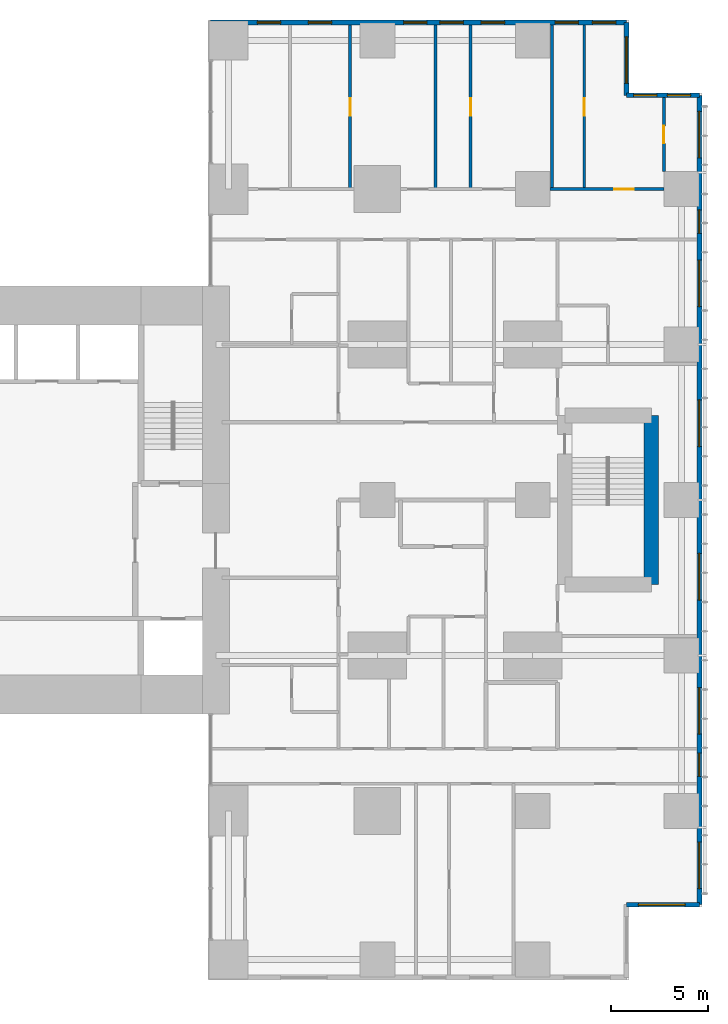
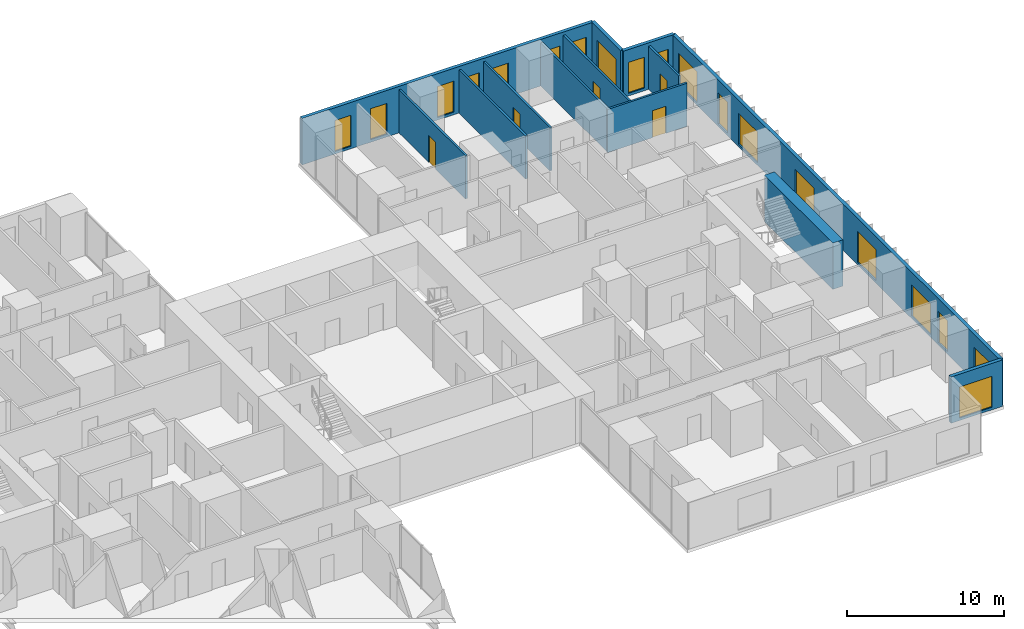
# One storey, part 18 of 20: 19 windows, 13 walls, 5 doors, 24 openings.
"""IFC4 building model written with IfcOpenShell, lengths in metres."""

from ifc_helpers import new_model, si_unit, direction, frame, frame_2d, origin, place, context, subcontext, project, spatial, rectangle, extrude, material, layer, layer_set, type_object, element, fill, save


model = new_model("IFC4")

# Units and contexts
model_context = context("Model", 3, precision=1e-05, world=origin(), true_north=direction((0.0, 1.0)))
body_context = subcontext(model_context, "Body", "Model", "MODEL_VIEW")
ifc_project = project(units=[si_unit("LENGTHUNIT", "METRE"), si_unit("AREAUNIT", "SQUARE_METRE"), si_unit("VOLUMEUNIT", "CUBIC_METRE"), si_unit("PLANEANGLEUNIT", "RADIAN"), si_unit("MASSUNIT", "GRAM", prefix="KILO")], contexts=[model_context])

# Site, building, storey
site_placement = place(None, origin())
site = spatial("IfcSite", under=ifc_project, at=site_placement, CompositionType="ELEMENT")
building_placement = place(site_placement, origin())
building = spatial("IfcBuilding", under=site, at=building_placement, Name="Cleftline Residences", CompositionType="ELEMENT")
storey_placement = place(building_placement, frame((0.0, 0.0, 189.39990234375)))
storey = spatial("IfcBuildingStorey", under=building, at=storey_placement, Name="L49", CompositionType="ELEMENT", Elevation=189.39990234375)

# Wall, opening, window
ifc_material_1 = material(Name="Rendered reinforced concrete blockwork", Category="masonry")
ifc_layer_1 = layer(ifc_material_1, 0.25)
ifc_layer_set_1 = layer_set([ifc_layer_1], Name="EXTERNAL WALL 250")
wall_type_1 = type_object("IfcWallType", Name="EXTERNAL WALL 250", PredefinedType="SOLIDWALL", material=ifc_layer_set_1)
wall_1_placement = place(storey_placement, frame((62.824951171875, 3.175048828125, 0.0), z_axis=(0.0, 0.0, 1.0), x_axis=(1.0, 0.0, 0.0)))
wall_1 = element("IfcWall", 1, at=wall_1_placement, inside=storey, type_object=wall_type_1, Name="External wall", PredefinedType="SOLIDWALL", context=body_context, shape_type="SweptSolid", body=[
    extrude(rectangle(XDim=3.75, YDim=0.25, at=frame_2d((1.875, 0.0))), origin(), (0.0, 0.0, 1.0), 3.60009765625),
])
opening_1_placement = place(wall_1_placement, frame((0.612548828125, 0.0, 0.199951171875)))
opening_1 = element("IfcOpeningElement", 2, at=opening_1_placement, cuts=wall_1, Name="Opening W9", PredefinedType="OPENING", context=body_context, shape_type="SweptSolid", body=[
    extrude(rectangle(XDim=2.39990234375, YDim=2.39990234375, at=frame_2d((1.199951171875, 1.199951171875))), frame((0.0, 0.135009765625, 0.0), z_axis=(0.0, -1.0, 0.0), x_axis=(1.0, 0.0, 0.0)), (0.0, 0.0, 1.0), 0.27001953125),
])
ifc_material_2 = material(Name="Aluminium frame, clear double glazing", Category="aluminium")
window_type_1 = type_object("IfcWindowType", Name="WINDOW 2400X2400", PartitioningType="DOUBLE_PANEL_VERTICAL", PredefinedType="WINDOW", material=ifc_material_2)
window_1_placement = place(opening_1_placement, origin())
window_1 = element("IfcWindow", 3, at=window_1_placement, inside=storey, type_object=window_type_1, Name="Window", OverallHeight=2.39990234375, OverallWidth=2.39990234375, PartitioningType="SINGLE_PANEL", PredefinedType="WINDOW", context=body_context, shape_type="SweptSolid", body=[
    extrude(rectangle(XDim=2.39990234375, YDim=2.39990234375, at=frame_2d((1.199951171875, 1.199951171875))), frame((0.0, 0.030029296875, 0.0), z_axis=(0.0, -1.0, 0.0), x_axis=(1.0, 0.0, 0.0)), (0.0, 0.0, 1.0), 0.06005859375),
])
fill(opening_1, window_1)

# Wall, openings, windows
wall_2_placement = place(storey_placement, frame((66.574951171875, 3.175048828125, 0.0), z_axis=(0.0, 0.0, 1.0), x_axis=(0.0, 1.0, 0.0)))
wall_2 = element("IfcWall", 4, at=wall_2_placement, inside=storey, type_object=wall_type_1, Name="External wall", PredefinedType="SOLIDWALL", context=body_context, shape_type="SweptSolid", body=[
    extrude(rectangle(XDim=41.64990234375, YDim=0.25, at=frame_2d((20.824951171875, 0.0))), origin(), (0.0, 0.0, 1.0), 3.60009765625),
])
opening_2_placement = place(wall_2_placement, frame((0.824951171875, 0.0, 0.199951171875)))
opening_2 = element("IfcOpeningElement", 5, at=opening_2_placement, cuts=wall_2, Name="Opening W9", PredefinedType="OPENING", context=body_context, shape_type="SweptSolid", body=[
    extrude(rectangle(XDim=2.39990234375, YDim=2.39990234375, at=frame_2d((1.199951171875, 1.199951171875))), frame((0.0, 0.135009765625, 0.0), z_axis=(0.0, -1.0, 0.0), x_axis=(1.0, 0.0, 0.0)), (0.0, 0.0, 1.0), 0.27001953125),
])
opening_3_placement = place(wall_2_placement, frame((6.60009765625, 0.0, 0.199951171875)))
opening_3 = element("IfcOpeningElement", 6, at=opening_3_placement, cuts=wall_2, Name="Opening W13", PredefinedType="OPENING", context=body_context, shape_type="SweptSolid", body=[
    extrude(rectangle(XDim=1.199951171875, YDim=2.39990234375, at=frame_2d((0.60009765625, 1.199951171875))), frame((0.0, 0.135009765625, 0.0), z_axis=(0.0, -1.0, 0.0), x_axis=(1.0, 0.0, 0.0)), (0.0, 0.0, 1.0), 0.27001953125),
])
opening_4_placement = place(wall_2_placement, frame((8.77490234375, 0.0, 0.199951171875)))
opening_4 = element("IfcOpeningElement", 7, at=opening_4_placement, cuts=wall_2, Name="Opening W9", PredefinedType="OPENING", context=body_context, shape_type="SweptSolid", body=[
    extrude(rectangle(XDim=2.39990234375, YDim=2.39990234375, at=frame_2d((1.199951171875, 1.199951171875))), frame((0.0, 0.135009765625, 0.0), z_axis=(0.0, -1.0, 0.0), x_axis=(1.0, 0.0, 0.0)), (0.0, 0.0, 1.0), 0.27001953125),
])
opening_5_placement = place(wall_2_placement, frame((15.675048828125, 0.0, 0.199951171875)))
opening_5 = element("IfcOpeningElement", 8, at=opening_5_placement, cuts=wall_2, Name="Opening W9", PredefinedType="OPENING", context=body_context, shape_type="SweptSolid", body=[
    extrude(rectangle(XDim=2.39990234375, YDim=2.39990234375, at=frame_2d((1.199951171875, 1.199951171875))), frame((0.0, 0.135009765625, 0.0), z_axis=(0.0, -1.0, 0.0), x_axis=(1.0, 0.0, 0.0)), (0.0, 0.0, 1.0), 0.27001953125),
])
opening_6_placement = place(wall_2_placement, frame((23.574951171875, 0.0, 0.199951171875)))
opening_6 = element("IfcOpeningElement", 9, at=opening_6_placement, cuts=wall_2, Name="Opening W9", PredefinedType="OPENING", context=body_context, shape_type="SweptSolid", body=[
    extrude(rectangle(XDim=2.39990234375, YDim=2.39990234375, at=frame_2d((1.199951171875, 1.199951171875))), frame((0.0, 0.135009765625, 0.0), z_axis=(0.0, -1.0, 0.0), x_axis=(1.0, 0.0, 0.0)), (0.0, 0.0, 1.0), 0.27001953125),
])
opening_7_placement = place(wall_2_placement, frame((30.77490234375, 0.0, 0.199951171875)))
opening_7 = element("IfcOpeningElement", 10, at=opening_7_placement, cuts=wall_2, Name="Opening W9", PredefinedType="OPENING", context=body_context, shape_type="SweptSolid", body=[
    extrude(rectangle(XDim=2.39990234375, YDim=2.39990234375, at=frame_2d((1.199951171875, 1.199951171875))), frame((0.0, 0.135009765625, 0.0), z_axis=(0.0, -1.0, 0.0), x_axis=(1.0, 0.0, 0.0)), (0.0, 0.0, 1.0), 0.27001953125),
])
opening_8_placement = place(wall_2_placement, frame((34.550048828125, 0.0, 0.199951171875)))
opening_8 = element("IfcOpeningElement", 11, at=opening_8_placement, cuts=wall_2, Name="Opening W13", PredefinedType="OPENING", context=body_context, shape_type="SweptSolid", body=[
    extrude(rectangle(XDim=1.199951171875, YDim=2.39990234375, at=frame_2d((0.60009765625, 1.199951171875))), frame((0.0, 0.135009765625, 0.0), z_axis=(0.0, -1.0, 0.0), x_axis=(1.0, 0.0, 0.0)), (0.0, 0.0, 1.0), 0.27001953125),
])
opening_9_placement = place(wall_2_placement, frame((38.425048828125, 0.0, 0.199951171875)))
opening_9 = element("IfcOpeningElement", 12, at=opening_9_placement, cuts=wall_2, Name="Opening W9", PredefinedType="OPENING", context=body_context, shape_type="SweptSolid", body=[
    extrude(rectangle(XDim=2.39990234375, YDim=2.39990234375, at=frame_2d((1.199951171875, 1.199951171875))), frame((0.0, 0.135009765625, 0.0), z_axis=(0.0, -1.0, 0.0), x_axis=(1.0, 0.0, 0.0)), (0.0, 0.0, 1.0), 0.27001953125),
])
ifc_material_3 = material(Name="Aluminium frame, clear double glazing", Category="aluminium")
window_type_2 = type_object("IfcWindowType", Name="WINDOW 1200X2400", PartitioningType="DOUBLE_PANEL_VERTICAL", PredefinedType="WINDOW", material=ifc_material_3)
window_2_placement = place(opening_3_placement, origin())
window_2 = element("IfcWindow", 13, at=window_2_placement, inside=storey, type_object=window_type_2, Name="Window", OverallHeight=2.39990234375, OverallWidth=1.199951171875, PartitioningType="SINGLE_PANEL", PredefinedType="WINDOW", context=body_context, shape_type="SweptSolid", body=[
    extrude(rectangle(XDim=1.199951171875, YDim=2.39990234375, at=frame_2d((0.60009765625, 1.199951171875))), frame((0.0, 0.030029296875, 0.0), z_axis=(0.0, -1.0, 0.0), x_axis=(1.0, 0.0, 0.0)), (0.0, 0.0, 1.0), 0.06005859375),
])
fill(opening_3, window_2)
window_3_placement = place(opening_8_placement, origin())
window_3 = element("IfcWindow", 14, at=window_3_placement, inside=storey, type_object=window_type_2, Name="Window", OverallHeight=2.39990234375, OverallWidth=1.199951171875, PartitioningType="SINGLE_PANEL", PredefinedType="WINDOW", context=body_context, shape_type="SweptSolid", body=[
    extrude(rectangle(XDim=1.199951171875, YDim=2.39990234375, at=frame_2d((0.60009765625, 1.199951171875))), frame((0.0, 0.030029296875, 0.0), z_axis=(0.0, -1.0, 0.0), x_axis=(1.0, 0.0, 0.0)), (0.0, 0.0, 1.0), 0.06005859375),
])
fill(opening_8, window_3)
window_4_placement = place(opening_2_placement, origin())
window_4 = element("IfcWindow", 15, at=window_4_placement, inside=storey, type_object=window_type_1, Name="Window", OverallHeight=2.39990234375, OverallWidth=2.39990234375, PartitioningType="SINGLE_PANEL", PredefinedType="WINDOW", context=body_context, shape_type="SweptSolid", body=[
    extrude(rectangle(XDim=2.39990234375, YDim=2.39990234375, at=frame_2d((1.199951171875, 1.199951171875))), frame((0.0, 0.030029296875, 0.0), z_axis=(0.0, -1.0, 0.0), x_axis=(1.0, 0.0, 0.0)), (0.0, 0.0, 1.0), 0.06005859375),
])
fill(opening_2, window_4)
window_5_placement = place(opening_4_placement, origin())
window_5 = element("IfcWindow", 16, at=window_5_placement, inside=storey, type_object=window_type_1, Name="Window", OverallHeight=2.39990234375, OverallWidth=2.39990234375, PartitioningType="SINGLE_PANEL", PredefinedType="WINDOW", context=body_context, shape_type="SweptSolid", body=[
    extrude(rectangle(XDim=2.39990234375, YDim=2.39990234375, at=frame_2d((1.199951171875, 1.199951171875))), frame((0.0, 0.030029296875, 0.0), z_axis=(0.0, -1.0, 0.0), x_axis=(1.0, 0.0, 0.0)), (0.0, 0.0, 1.0), 0.06005859375),
])
fill(opening_4, window_5)
window_6_placement = place(opening_5_placement, origin())
window_6 = element("IfcWindow", 17, at=window_6_placement, inside=storey, type_object=window_type_1, Name="Window", OverallHeight=2.39990234375, OverallWidth=2.39990234375, PartitioningType="SINGLE_PANEL", PredefinedType="WINDOW", context=body_context, shape_type="SweptSolid", body=[
    extrude(rectangle(XDim=2.39990234375, YDim=2.39990234375, at=frame_2d((1.199951171875, 1.199951171875))), frame((0.0, 0.030029296875, 0.0), z_axis=(0.0, -1.0, 0.0), x_axis=(1.0, 0.0, 0.0)), (0.0, 0.0, 1.0), 0.06005859375),
])
fill(opening_5, window_6)
window_7_placement = place(opening_6_placement, origin())
window_7 = element("IfcWindow", 18, at=window_7_placement, inside=storey, type_object=window_type_1, Name="Window", OverallHeight=2.39990234375, OverallWidth=2.39990234375, PartitioningType="SINGLE_PANEL", PredefinedType="WINDOW", context=body_context, shape_type="SweptSolid", body=[
    extrude(rectangle(XDim=2.39990234375, YDim=2.39990234375, at=frame_2d((1.199951171875, 1.199951171875))), frame((0.0, 0.030029296875, 0.0), z_axis=(0.0, -1.0, 0.0), x_axis=(1.0, 0.0, 0.0)), (0.0, 0.0, 1.0), 0.06005859375),
])
fill(opening_6, window_7)
window_8_placement = place(opening_7_placement, origin())
window_8 = element("IfcWindow", 19, at=window_8_placement, inside=storey, type_object=window_type_1, Name="Window", OverallHeight=2.39990234375, OverallWidth=2.39990234375, PartitioningType="SINGLE_PANEL", PredefinedType="WINDOW", context=body_context, shape_type="SweptSolid", body=[
    extrude(rectangle(XDim=2.39990234375, YDim=2.39990234375, at=frame_2d((1.199951171875, 1.199951171875))), frame((0.0, 0.030029296875, 0.0), z_axis=(0.0, -1.0, 0.0), x_axis=(1.0, 0.0, 0.0)), (0.0, 0.0, 1.0), 0.06005859375),
])
fill(opening_7, window_8)
window_9_placement = place(opening_9_placement, origin())
window_9 = element("IfcWindow", 20, at=window_9_placement, inside=storey, type_object=window_type_1, Name="Window", OverallHeight=2.39990234375, OverallWidth=2.39990234375, PartitioningType="SINGLE_PANEL", PredefinedType="WINDOW", context=body_context, shape_type="SweptSolid", body=[
    extrude(rectangle(XDim=2.39990234375, YDim=2.39990234375, at=frame_2d((1.199951171875, 1.199951171875))), frame((0.0, 0.030029296875, 0.0), z_axis=(0.0, -1.0, 0.0), x_axis=(1.0, 0.0, 0.0)), (0.0, 0.0, 1.0), 0.06005859375),
])
fill(opening_9, window_9)

wall_3_placement = place(storey_placement, frame((66.574951171875, 44.824951171875, 0.0), z_axis=(0.0, 0.0, 1.0), x_axis=(-1.0, 0.0, 0.0)))
wall_3 = element("IfcWall", 21, at=wall_3_placement, inside=storey, type_object=wall_type_1, Name="External wall", PredefinedType="SOLIDWALL", context=body_context, shape_type="SweptSolid", body=[
    extrude(rectangle(XDim=3.75, YDim=0.25, at=frame_2d((1.875, 0.0))), origin(), (0.0, 0.0, 1.0), 3.60009765625),
])
opening_10_placement = place(wall_3_placement, frame((0.449951171875, 0.0, 0.199951171875)))
opening_10 = element("IfcOpeningElement", 22, at=opening_10_placement, cuts=wall_3, Name="Opening W13", PredefinedType="OPENING", context=body_context, shape_type="SweptSolid", body=[
    extrude(rectangle(XDim=1.199951171875, YDim=2.39990234375, at=frame_2d((0.60009765625, 1.199951171875))), frame((0.0, 0.135009765625, 0.0), z_axis=(0.0, -1.0, 0.0), x_axis=(1.0, 0.0, 0.0)), (0.0, 0.0, 1.0), 0.27001953125),
])
opening_11_placement = place(wall_3_placement, frame((2.1875, 0.0, 0.199951171875)))
opening_11 = element("IfcOpeningElement", 23, at=opening_11_placement, cuts=wall_3, Name="Opening W13", PredefinedType="OPENING", context=body_context, shape_type="SweptSolid", body=[
    extrude(rectangle(XDim=1.199951171875, YDim=2.39990234375, at=frame_2d((0.60009765625, 1.199951171875))), frame((0.0, 0.135009765625, 0.0), z_axis=(0.0, -1.0, 0.0), x_axis=(1.0, 0.0, 0.0)), (0.0, 0.0, 1.0), 0.27001953125),
])
window_10_placement = place(opening_10_placement, origin())
window_10 = element("IfcWindow", 24, at=window_10_placement, inside=storey, type_object=window_type_2, Name="Window", OverallHeight=2.39990234375, OverallWidth=1.199951171875, PartitioningType="SINGLE_PANEL", PredefinedType="WINDOW", context=body_context, shape_type="SweptSolid", body=[
    extrude(rectangle(XDim=1.199951171875, YDim=2.39990234375, at=frame_2d((0.60009765625, 1.199951171875))), frame((0.0, 0.030029296875, 0.0), z_axis=(0.0, -1.0, 0.0), x_axis=(1.0, 0.0, 0.0)), (0.0, 0.0, 1.0), 0.06005859375),
])
fill(opening_10, window_10)
window_11_placement = place(opening_11_placement, origin())
window_11 = element("IfcWindow", 25, at=window_11_placement, inside=storey, type_object=window_type_2, Name="Window", OverallHeight=2.39990234375, OverallWidth=1.199951171875, PartitioningType="SINGLE_PANEL", PredefinedType="WINDOW", context=body_context, shape_type="SweptSolid", body=[
    extrude(rectangle(XDim=1.199951171875, YDim=2.39990234375, at=frame_2d((0.60009765625, 1.199951171875))), frame((0.0, 0.030029296875, 0.0), z_axis=(0.0, -1.0, 0.0), x_axis=(1.0, 0.0, 0.0)), (0.0, 0.0, 1.0), 0.06005859375),
])
fill(opening_11, window_11)

# Wall, opening, window
wall_4_placement = place(storey_placement, frame((62.824951171875, 44.824951171875, 0.0), z_axis=(0.0, 0.0, 1.0), x_axis=(0.0, 1.0, 0.0)))
wall_4 = element("IfcWall", 26, at=wall_4_placement, inside=storey, type_object=wall_type_1, Name="External wall", PredefinedType="SOLIDWALL", context=body_context, shape_type="SweptSolid", body=[
    extrude(rectangle(XDim=3.75, YDim=0.25, at=frame_2d((1.875, 0.0))), origin(), (0.0, 0.0, 1.0), 3.60009765625),
])
opening_12_placement = place(wall_4_placement, frame((0.612548828125, 0.0, 0.199951171875)))
opening_12 = element("IfcOpeningElement", 27, at=opening_12_placement, cuts=wall_4, Name="Opening W9", PredefinedType="OPENING", context=body_context, shape_type="SweptSolid", body=[
    extrude(rectangle(XDim=2.39990234375, YDim=2.39990234375, at=frame_2d((1.199951171875, 1.199951171875))), frame((0.0, 0.135009765625, 0.0), z_axis=(0.0, -1.0, 0.0), x_axis=(1.0, 0.0, 0.0)), (0.0, 0.0, 1.0), 0.27001953125),
])
window_12_placement = place(opening_12_placement, origin())
window_12 = element("IfcWindow", 28, at=window_12_placement, inside=storey, type_object=window_type_1, Name="Window", OverallHeight=2.39990234375, OverallWidth=2.39990234375, PartitioningType="SINGLE_PANEL", PredefinedType="WINDOW", context=body_context, shape_type="SweptSolid", body=[
    extrude(rectangle(XDim=2.39990234375, YDim=2.39990234375, at=frame_2d((1.199951171875, 1.199951171875))), frame((0.0, 0.030029296875, 0.0), z_axis=(0.0, -1.0, 0.0), x_axis=(1.0, 0.0, 0.0)), (0.0, 0.0, 1.0), 0.06005859375),
])
fill(opening_12, window_12)

# Wall, openings, windows
wall_5_placement = place(storey_placement, frame((62.824951171875, 48.574951171875, 0.0), z_axis=(0.0, 0.0, 1.0), x_axis=(-1.0, 0.0, 0.0)))
wall_5 = element("IfcWall", 29, at=wall_5_placement, inside=storey, type_object=wall_type_1, Name="External wall", PredefinedType="SOLIDWALL", context=body_context, shape_type="SweptSolid", body=[
    extrude(rectangle(XDim=21.39990234375, YDim=0.25, at=frame_2d((10.699951171875, 0.0))), origin(), (0.0, 0.0, 1.0), 3.60009765625),
])
opening_13_placement = place(wall_5_placement, frame((0.550048828125, 0.0, 0.199951171875)))
opening_13 = element("IfcOpeningElement", 30, at=opening_13_placement, cuts=wall_5, Name="Opening W13", PredefinedType="OPENING", context=body_context, shape_type="SweptSolid", body=[
    extrude(rectangle(XDim=1.199951171875, YDim=2.39990234375, at=frame_2d((0.60009765625, 1.199951171875))), frame((0.0, 0.135009765625, 0.0), z_axis=(0.0, -1.0, 0.0), x_axis=(1.0, 0.0, 0.0)), (0.0, 0.0, 1.0), 0.27001953125),
])
opening_14_placement = place(wall_5_placement, frame((2.47509765625, 0.0, 0.199951171875)))
opening_14 = element("IfcOpeningElement", 31, at=opening_14_placement, cuts=wall_5, Name="Opening W13", PredefinedType="OPENING", context=body_context, shape_type="SweptSolid", body=[
    extrude(rectangle(XDim=1.199951171875, YDim=2.39990234375, at=frame_2d((0.60009765625, 1.199951171875))), frame((0.0, 0.135009765625, 0.0), z_axis=(0.0, -1.0, 0.0), x_axis=(1.0, 0.0, 0.0)), (0.0, 0.0, 1.0), 0.27001953125),
])
opening_15_placement = place(wall_5_placement, frame((6.27490234375, 0.0, 0.199951171875)))
opening_15 = element("IfcOpeningElement", 32, at=opening_15_placement, cuts=wall_5, Name="Opening W13", PredefinedType="OPENING", context=body_context, shape_type="SweptSolid", body=[
    extrude(rectangle(XDim=1.199951171875, YDim=2.39990234375, at=frame_2d((0.60009765625, 1.199951171875))), frame((0.0, 0.135009765625, 0.0), z_axis=(0.0, -1.0, 0.0), x_axis=(1.0, 0.0, 0.0)), (0.0, 0.0, 1.0), 0.27001953125),
])
opening_16_placement = place(wall_5_placement, frame((8.39990234375, 0.0, 0.199951171875)))
opening_16 = element("IfcOpeningElement", 33, at=opening_16_placement, cuts=wall_5, Name="Opening W13", PredefinedType="OPENING", context=body_context, shape_type="SweptSolid", body=[
    extrude(rectangle(XDim=1.199951171875, YDim=2.39990234375, at=frame_2d((0.60009765625, 1.199951171875))), frame((0.0, 0.135009765625, 0.0), z_axis=(0.0, -1.0, 0.0), x_axis=(1.0, 0.0, 0.0)), (0.0, 0.0, 1.0), 0.27001953125),
])
opening_17_placement = place(wall_5_placement, frame((10.27490234375, 0.0, 0.199951171875)))
opening_17 = element("IfcOpeningElement", 34, at=opening_17_placement, cuts=wall_5, Name="Opening W13", PredefinedType="OPENING", context=body_context, shape_type="SweptSolid", body=[
    extrude(rectangle(XDim=1.199951171875, YDim=2.39990234375, at=frame_2d((0.60009765625, 1.199951171875))), frame((0.0, 0.135009765625, 0.0), z_axis=(0.0, -1.0, 0.0), x_axis=(1.0, 0.0, 0.0)), (0.0, 0.0, 1.0), 0.27001953125),
])
opening_18_placement = place(wall_5_placement, frame((15.175048828125, 0.0, 0.199951171875)))
opening_18 = element("IfcOpeningElement", 35, at=opening_18_placement, cuts=wall_5, Name="Opening W13", PredefinedType="OPENING", context=body_context, shape_type="SweptSolid", body=[
    extrude(rectangle(XDim=1.199951171875, YDim=2.39990234375, at=frame_2d((0.60009765625, 1.199951171875))), frame((0.0, 0.135009765625, 0.0), z_axis=(0.0, -1.0, 0.0), x_axis=(1.0, 0.0, 0.0)), (0.0, 0.0, 1.0), 0.27001953125),
])
opening_19_placement = place(wall_5_placement, frame((17.800048828125, 0.0, 0.199951171875)))
opening_19 = element("IfcOpeningElement", 36, at=opening_19_placement, cuts=wall_5, Name="Opening W13", PredefinedType="OPENING", context=body_context, shape_type="SweptSolid", body=[
    extrude(rectangle(XDim=1.199951171875, YDim=2.39990234375, at=frame_2d((0.60009765625, 1.199951171875))), frame((0.0, 0.135009765625, 0.0), z_axis=(0.0, -1.0, 0.0), x_axis=(1.0, 0.0, 0.0)), (0.0, 0.0, 1.0), 0.27001953125),
])
window_13_placement = place(opening_13_placement, origin())
window_13 = element("IfcWindow", 37, at=window_13_placement, inside=storey, type_object=window_type_2, Name="Window", OverallHeight=2.39990234375, OverallWidth=1.199951171875, PartitioningType="SINGLE_PANEL", PredefinedType="WINDOW", context=body_context, shape_type="SweptSolid", body=[
    extrude(rectangle(XDim=1.199951171875, YDim=2.39990234375, at=frame_2d((0.60009765625, 1.199951171875))), frame((0.0, 0.030029296875, 0.0), z_axis=(0.0, -1.0, 0.0), x_axis=(1.0, 0.0, 0.0)), (0.0, 0.0, 1.0), 0.06005859375),
])
fill(opening_13, window_13)
window_14_placement = place(opening_14_placement, origin())
window_14 = element("IfcWindow", 38, at=window_14_placement, inside=storey, type_object=window_type_2, Name="Window", OverallHeight=2.39990234375, OverallWidth=1.199951171875, PartitioningType="SINGLE_PANEL", PredefinedType="WINDOW", context=body_context, shape_type="SweptSolid", body=[
    extrude(rectangle(XDim=1.199951171875, YDim=2.39990234375, at=frame_2d((0.60009765625, 1.199951171875))), frame((0.0, 0.030029296875, 0.0), z_axis=(0.0, -1.0, 0.0), x_axis=(1.0, 0.0, 0.0)), (0.0, 0.0, 1.0), 0.06005859375),
])
fill(opening_14, window_14)
window_15_placement = place(opening_15_placement, origin())
window_15 = element("IfcWindow", 39, at=window_15_placement, inside=storey, type_object=window_type_2, Name="Window", OverallHeight=2.39990234375, OverallWidth=1.199951171875, PartitioningType="SINGLE_PANEL", PredefinedType="WINDOW", context=body_context, shape_type="SweptSolid", body=[
    extrude(rectangle(XDim=1.199951171875, YDim=2.39990234375, at=frame_2d((0.60009765625, 1.199951171875))), frame((0.0, 0.030029296875, 0.0), z_axis=(0.0, -1.0, 0.0), x_axis=(1.0, 0.0, 0.0)), (0.0, 0.0, 1.0), 0.06005859375),
])
fill(opening_15, window_15)
window_16_placement = place(opening_16_placement, origin())
window_16 = element("IfcWindow", 40, at=window_16_placement, inside=storey, type_object=window_type_2, Name="Window", OverallHeight=2.39990234375, OverallWidth=1.199951171875, PartitioningType="SINGLE_PANEL", PredefinedType="WINDOW", context=body_context, shape_type="SweptSolid", body=[
    extrude(rectangle(XDim=1.199951171875, YDim=2.39990234375, at=frame_2d((0.60009765625, 1.199951171875))), frame((0.0, 0.030029296875, 0.0), z_axis=(0.0, -1.0, 0.0), x_axis=(1.0, 0.0, 0.0)), (0.0, 0.0, 1.0), 0.06005859375),
])
fill(opening_16, window_16)
window_17_placement = place(opening_17_placement, origin())
window_17 = element("IfcWindow", 41, at=window_17_placement, inside=storey, type_object=window_type_2, Name="Window", OverallHeight=2.39990234375, OverallWidth=1.199951171875, PartitioningType="SINGLE_PANEL", PredefinedType="WINDOW", context=body_context, shape_type="SweptSolid", body=[
    extrude(rectangle(XDim=1.199951171875, YDim=2.39990234375, at=frame_2d((0.60009765625, 1.199951171875))), frame((0.0, 0.030029296875, 0.0), z_axis=(0.0, -1.0, 0.0), x_axis=(1.0, 0.0, 0.0)), (0.0, 0.0, 1.0), 0.06005859375),
])
fill(opening_17, window_17)
window_18_placement = place(opening_18_placement, origin())
window_18 = element("IfcWindow", 42, at=window_18_placement, inside=storey, type_object=window_type_2, Name="Window", OverallHeight=2.39990234375, OverallWidth=1.199951171875, PartitioningType="SINGLE_PANEL", PredefinedType="WINDOW", context=body_context, shape_type="SweptSolid", body=[
    extrude(rectangle(XDim=1.199951171875, YDim=2.39990234375, at=frame_2d((0.60009765625, 1.199951171875))), frame((0.0, 0.030029296875, 0.0), z_axis=(0.0, -1.0, 0.0), x_axis=(1.0, 0.0, 0.0)), (0.0, 0.0, 1.0), 0.06005859375),
])
fill(opening_18, window_18)
window_19_placement = place(opening_19_placement, origin())
window_19 = element("IfcWindow", 43, at=window_19_placement, inside=storey, type_object=window_type_2, Name="Window", OverallHeight=2.39990234375, OverallWidth=1.199951171875, PartitioningType="SINGLE_PANEL", PredefinedType="WINDOW", context=body_context, shape_type="SweptSolid", body=[
    extrude(rectangle(XDim=1.199951171875, YDim=2.39990234375, at=frame_2d((0.60009765625, 1.199951171875))), frame((0.0, 0.030029296875, 0.0), z_axis=(0.0, -1.0, 0.0), x_axis=(1.0, 0.0, 0.0)), (0.0, 0.0, 1.0), 0.06005859375),
])
fill(opening_19, window_19)

# Wall, opening, door
ifc_material_4 = material(Name="Gypsum board on steel studs", Category="steel")
ifc_layer_2 = layer(ifc_material_4, 0.14990234375)
ifc_layer_set_2 = layer_set([ifc_layer_2], Name="PARTITION 150")
wall_type_2 = type_object("IfcWallType", Name="PARTITION 150", PredefinedType="PARTITIONING", material=ifc_layer_set_2)
wall_6_placement = place(storey_placement, frame((58.89990234375, 40.0, 0.0), z_axis=(0.0, 0.0, 1.0), x_axis=(1.0, 0.0, 0.0)))
wall_6 = element("IfcWall", 44, at=wall_6_placement, inside=storey, type_object=wall_type_2, Name="Partition", PredefinedType="PARTITIONING", context=body_context, shape_type="SweptSolid", body=[
    extrude(rectangle(XDim=5.85009765625, YDim=0.14990234375, at=frame_2d((2.925048828125, 0.0))), origin(), (0.0, 0.0, 1.0), 3.35009765625),
])
opening_20_placement = place(wall_6_placement, frame((3.300048828125, 0.0, 0.0)))
opening_20 = element("IfcOpeningElement", 45, at=opening_20_placement, cuts=wall_6, Name="Opening D2", PredefinedType="OPENING", context=body_context, shape_type="SweptSolid", body=[
    extrude(rectangle(XDim=1.0, YDim=2.10009765625, at=frame_2d((0.5, 1.050048828125))), frame((0.0, 0.0849609375, 0.0), z_axis=(0.0, -1.0, 0.0), x_axis=(1.0, 0.0, 0.0)), (0.0, 0.0, 1.0), 0.169921875),
])
ifc_material_5 = material(Name="Timber veneer on solid core", Category="wood")
door_type_1 = type_object("IfcDoorType", Name="DOOR 1000X2100", OperationType="SINGLE_SWING_LEFT", PredefinedType="DOOR", material=ifc_material_5)
door_1_placement = place(opening_20_placement, origin())
door_1 = element("IfcDoor", 46, at=door_1_placement, inside=storey, type_object=door_type_1, Name="Door to bedroom 2", OperationType="SINGLE_SWING_LEFT", OverallHeight=2.10009765625, OverallWidth=1.0, PredefinedType="DOOR", context=body_context, shape_type="SweptSolid", body=[
    extrude(rectangle(XDim=1.0, YDim=2.10009765625, at=frame_2d((0.5, 1.050048828125))), frame((0.0, 0.02490234375, 0.0), z_axis=(0.0, -1.0, 0.0), x_axis=(1.0, 0.0, 0.0)), (0.0, 0.0, 1.0), 0.050048828125),
])
fill(opening_20, door_1)

wall_7_placement = place(storey_placement, frame((48.60009765625, 40.0, 0.0), z_axis=(0.0, 0.0, 1.0), x_axis=(0.0, 1.0, 0.0)))
wall_7 = element("IfcWall", 47, at=wall_7_placement, inside=storey, type_object=wall_type_2, Name="Partition", PredefinedType="PARTITIONING", context=body_context, shape_type="SweptSolid", body=[
    extrude(rectangle(XDim=8.449951171875, YDim=0.14990234375, at=frame_2d((4.22509765625, 0.0))), origin(), (0.0, 0.0, 1.0), 3.35009765625),
])
opening_21_placement = place(wall_7_placement, frame((3.77490234375, 0.0, 0.0)))
opening_21 = element("IfcOpeningElement", 48, at=opening_21_placement, cuts=wall_7, Name="Opening D1", PredefinedType="OPENING", context=body_context, shape_type="SweptSolid", body=[
    extrude(rectangle(XDim=0.89990234375, YDim=2.10009765625, at=frame_2d((0.449951171875, 1.050048828125))), frame((0.0, 0.0849609375, 0.0), z_axis=(0.0, -1.0, 0.0), x_axis=(1.0, 0.0, 0.0)), (0.0, 0.0, 1.0), 0.169921875),
])
ifc_material_6 = material(Name="Timber veneer on solid core", Category="wood")
door_type_2 = type_object("IfcDoorType", Name="DOOR 900X2100", OperationType="SINGLE_SWING_LEFT", PredefinedType="DOOR", material=ifc_material_6)
door_2_placement = place(opening_21_placement, origin())
door_2 = element("IfcDoor", 49, at=door_2_placement, inside=storey, type_object=door_type_2, Name="Door to en-suite bathroom 4", OperationType="SINGLE_SWING_LEFT", OverallHeight=2.10009765625, OverallWidth=0.89990234375, PredefinedType="DOOR", context=body_context, shape_type="SweptSolid", body=[
    extrude(rectangle(XDim=0.89990234375, YDim=2.10009765625, at=frame_2d((0.449951171875, 1.050048828125))), frame((0.0, 0.02490234375, 0.0), z_axis=(0.0, -1.0, 0.0), x_axis=(1.0, 0.0, 0.0)), (0.0, 0.0, 1.0), 0.050048828125),
])
fill(opening_21, door_2)

# Wall
wall_8_placement = place(storey_placement, frame((53.0, 40.0, 0.0), z_axis=(0.0, 0.0, 1.0), x_axis=(0.0, 1.0, 0.0)))
element("IfcWall", 50, at=wall_8_placement, inside=storey, type_object=wall_type_2, Name="Partition", PredefinedType="PARTITIONING", context=body_context, shape_type="SweptSolid", body=[
    extrude(rectangle(XDim=8.449951171875, YDim=0.14990234375, at=frame_2d((4.22509765625, 0.0))), origin(), (0.0, 0.0, 1.0), 3.35009765625),
])

# Wall, opening, door
wall_9_placement = place(storey_placement, frame((54.800048828125, 40.0, 0.0), z_axis=(0.0, 0.0, 1.0), x_axis=(0.0, 1.0, 0.0)))
wall_9 = element("IfcWall", 51, at=wall_9_placement, inside=storey, type_object=wall_type_2, Name="Partition", PredefinedType="PARTITIONING", context=body_context, shape_type="SweptSolid", body=[
    extrude(rectangle(XDim=8.449951171875, YDim=0.14990234375, at=frame_2d((4.22509765625, 0.0))), origin(), (0.0, 0.0, 1.0), 3.35009765625),
])
opening_22_placement = place(wall_9_placement, frame((3.77490234375, 0.0, 0.0)))
opening_22 = element("IfcOpeningElement", 52, at=opening_22_placement, cuts=wall_9, Name="Opening D1", PredefinedType="OPENING", context=body_context, shape_type="SweptSolid", body=[
    extrude(rectangle(XDim=0.89990234375, YDim=2.10009765625, at=frame_2d((0.449951171875, 1.050048828125))), frame((0.0, 0.0849609375, 0.0), z_axis=(0.0, -1.0, 0.0), x_axis=(1.0, 0.0, 0.0)), (0.0, 0.0, 1.0), 0.169921875),
])
door_3_placement = place(opening_22_placement, origin())
door_3 = element("IfcDoor", 53, at=door_3_placement, inside=storey, type_object=door_type_2, Name="Door to en-suite bathroom 3", OperationType="SINGLE_SWING_LEFT", OverallHeight=2.10009765625, OverallWidth=0.89990234375, PredefinedType="DOOR", context=body_context, shape_type="SweptSolid", body=[
    extrude(rectangle(XDim=0.89990234375, YDim=2.10009765625, at=frame_2d((0.449951171875, 1.050048828125))), frame((0.0, 0.02490234375, 0.0), z_axis=(0.0, -1.0, 0.0), x_axis=(1.0, 0.0, 0.0)), (0.0, 0.0, 1.0), 0.050048828125),
])
fill(opening_22, door_3)

# Wall
wall_10_placement = place(storey_placement, frame((59.0, 40.0, 0.0), z_axis=(0.0, 0.0, 1.0), x_axis=(0.0, 1.0, 0.0)))
element("IfcWall", 54, at=wall_10_placement, inside=storey, type_object=wall_type_2, Name="Partition", PredefinedType="PARTITIONING", context=body_context, shape_type="SweptSolid", body=[
    extrude(rectangle(XDim=8.449951171875, YDim=0.14990234375, at=frame_2d((4.22509765625, 0.0))), origin(), (0.0, 0.0, 1.0), 3.35009765625),
])

# Wall, opening, door
wall_11_placement = place(storey_placement, frame((60.64990234375, 40.0, 0.0), z_axis=(0.0, 0.0, 1.0), x_axis=(0.0, 1.0, 0.0)))
wall_11 = element("IfcWall", 55, at=wall_11_placement, inside=storey, type_object=wall_type_2, Name="Partition", PredefinedType="PARTITIONING", context=body_context, shape_type="SweptSolid", body=[
    extrude(rectangle(XDim=8.449951171875, YDim=0.14990234375, at=frame_2d((4.22509765625, 0.0))), origin(), (0.0, 0.0, 1.0), 3.35009765625),
])
opening_23_placement = place(wall_11_placement, frame((3.77490234375, 0.0, 0.0)))
opening_23 = element("IfcOpeningElement", 56, at=opening_23_placement, cuts=wall_11, Name="Opening D1", PredefinedType="OPENING", context=body_context, shape_type="SweptSolid", body=[
    extrude(rectangle(XDim=0.89990234375, YDim=2.10009765625, at=frame_2d((0.449951171875, 1.050048828125))), frame((0.0, 0.0849609375, 0.0), z_axis=(0.0, -1.0, 0.0), x_axis=(1.0, 0.0, 0.0)), (0.0, 0.0, 1.0), 0.169921875),
])
door_4_placement = place(opening_23_placement, origin())
door_4 = element("IfcDoor", 57, at=door_4_placement, inside=storey, type_object=door_type_2, Name="Door to walk-in wardrobe", OperationType="SINGLE_SWING_LEFT", OverallHeight=2.10009765625, OverallWidth=0.89990234375, PredefinedType="DOOR", context=body_context, shape_type="SweptSolid", body=[
    extrude(rectangle(XDim=0.89990234375, YDim=2.10009765625, at=frame_2d((0.449951171875, 1.050048828125))), frame((0.0, 0.02490234375, 0.0), z_axis=(0.0, -1.0, 0.0), x_axis=(1.0, 0.0, 0.0)), (0.0, 0.0, 1.0), 0.050048828125),
])
fill(opening_23, door_4)

wall_12_placement = place(storey_placement, frame((64.75, 40.89990234375, 0.0), z_axis=(0.0, 0.0, 1.0), x_axis=(0.0, 1.0, 0.0)))
wall_12 = element("IfcWall", 58, at=wall_12_placement, inside=storey, type_object=wall_type_2, Name="Partition", PredefinedType="PARTITIONING", context=body_context, shape_type="SweptSolid", body=[
    extrude(rectangle(XDim=3.800048828125, YDim=0.14990234375, at=frame_2d((1.89990234375, 0.0))), origin(), (0.0, 0.0, 1.0), 3.35009765625),
])
opening_24_placement = place(wall_12_placement, frame((1.449951171875, 0.0, 0.0)))
opening_24 = element("IfcOpeningElement", 59, at=opening_24_placement, cuts=wall_12, Name="Opening D1", PredefinedType="OPENING", context=body_context, shape_type="SweptSolid", body=[
    extrude(rectangle(XDim=0.89990234375, YDim=2.10009765625, at=frame_2d((0.449951171875, 1.050048828125))), frame((0.0, 0.0849609375, 0.0), z_axis=(0.0, -1.0, 0.0), x_axis=(1.0, 0.0, 0.0)), (0.0, 0.0, 1.0), 0.169921875),
])
door_5_placement = place(opening_24_placement, origin())
door_5 = element("IfcDoor", 60, at=door_5_placement, inside=storey, type_object=door_type_2, Name="Door to music room", OperationType="SINGLE_SWING_LEFT", OverallHeight=2.10009765625, OverallWidth=0.89990234375, PredefinedType="DOOR", context=body_context, shape_type="SweptSolid", body=[
    extrude(rectangle(XDim=0.89990234375, YDim=2.10009765625, at=frame_2d((0.449951171875, 1.050048828125))), frame((0.0, 0.02490234375, 0.0), z_axis=(0.0, -1.0, 0.0), x_axis=(1.0, 0.0, 0.0)), (0.0, 0.0, 1.0), 0.050048828125),
])
fill(opening_24, door_5)

# Wall
ifc_material_7 = material(Name="Concrete B70", Category="concrete")
ifc_layer_3 = layer(ifc_material_7, 0.75)
ifc_layer_set_3 = layer_set([ifc_layer_3], Name="SHEAR WALL 750")
wall_type_3 = type_object("IfcWallType", Name="SHEAR WALL 750", PredefinedType="SHEAR", material=ifc_layer_set_3)
wall_13_placement = place(storey_placement, frame((64.10009765625, 19.64990234375, 0.0), z_axis=(0.0, 0.0, 1.0), x_axis=(0.0, 1.0, 0.0)))
element("IfcWall", 61, at=wall_13_placement, inside=storey, type_object=wall_type_3, Name="Wing shear wall", PredefinedType="SHEAR", context=body_context, shape_type="SweptSolid", body=[
    extrude(rectangle(XDim=8.7001953125, YDim=0.75, at=frame_2d((4.35009765625, 0.0))), origin(), (0.0, 0.0, 1.0), 3.60009765625),
])

save(model, "model.ifc")
